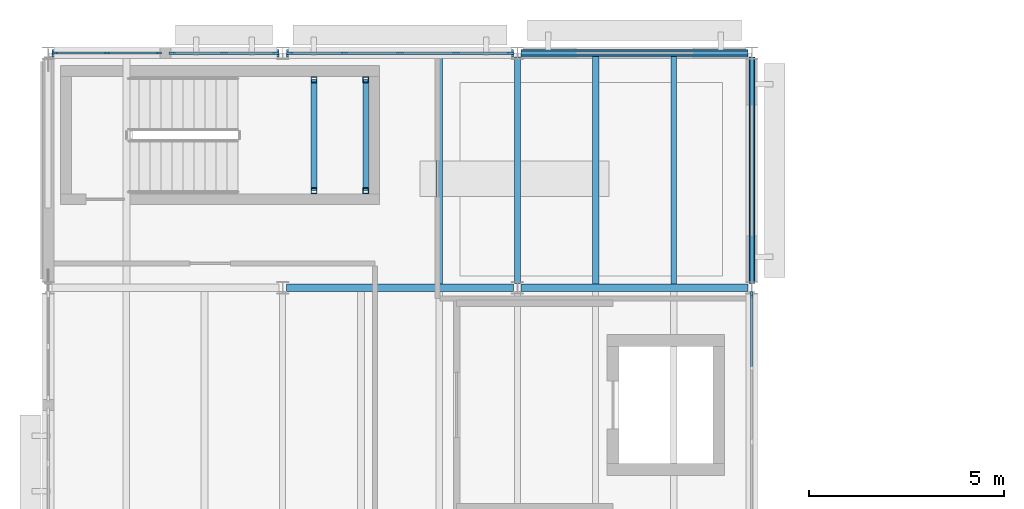
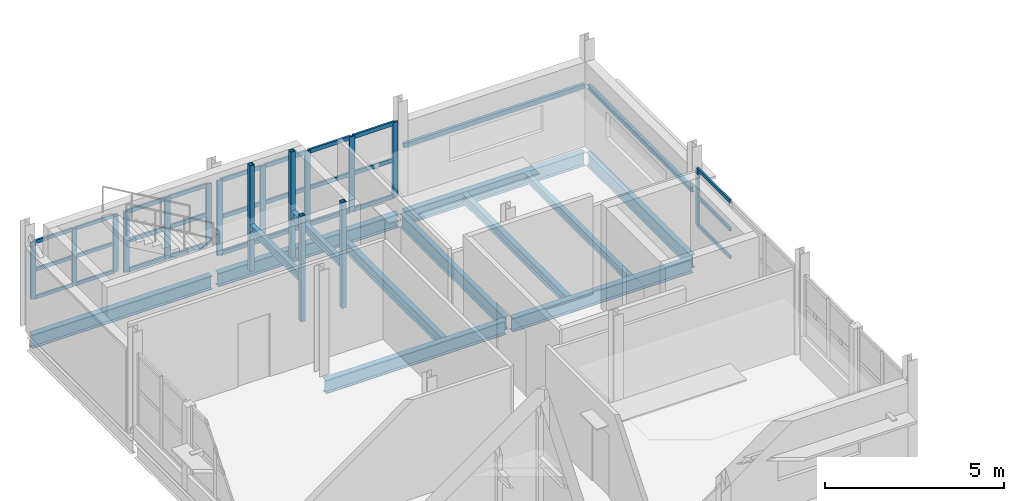
# One storey, part 5 of 20: 43 members, 14 beams, 4 elements without a shape of their own.
"""IFC4 building model written with IfcOpenShell, lengths in metres."""

from ifc_helpers import new_model, si_unit, direction, frame, origin, origin_2d, place, context, subcontext, project, spatial, rectangle, hollow_rectangle, i_section, extrude, material, material_profile, profile_set, type_object, element, aggregate, save


model = new_model("IFC4")

# Units and contexts
model_context = context("Model", 3, precision=1e-05, world=origin(), true_north=direction((0.0, 1.0)))
body_context = subcontext(model_context, "Body", "Model", "MODEL_VIEW")
ifc_project = project(units=[si_unit("LENGTHUNIT", "METRE"), si_unit("AREAUNIT", "SQUARE_METRE"), si_unit("VOLUMEUNIT", "CUBIC_METRE"), si_unit("PLANEANGLEUNIT", "RADIAN"), si_unit("MASSUNIT", "GRAM", prefix="KILO")], contexts=[model_context])

# Site, building, storey
site_placement = place(None, origin())
site = spatial("IfcSite", under=ifc_project, at=site_placement, CompositionType="ELEMENT")
building_placement = place(site_placement, origin())
building = spatial("IfcBuilding", under=site, at=building_placement, Name="Siltcreek Boulevard Central Fire Station", CompositionType="ELEMENT")
storey_placement = place(building_placement, frame((0.0, 0.0, 18.0)))
storey = spatial("IfcBuildingStorey", under=building, at=storey_placement, Name="L05", CompositionType="ELEMENT", Elevation=18.0)

# Beams
ifc_material_1 = material(Name="Structural steel ASTM A992 Gr50", Category="steel")
ifc_material_profile_1 = material_profile(ifc_material_1, i_section(OverallWidth=0.154052734375, OverallDepth=0.458984375, WebThickness=0.009033203125, FlangeThickness=0.015380859375, at=origin_2d()), Name="W460X68")
ifc_profile_set_1 = profile_set([ifc_material_profile_1], Name="Structural steel ASTM A992 Gr50")
beam_type_1 = type_object("IfcBeamType", Name="BM_W460X68", PredefinedType="BEAM", material=ifc_profile_set_1)
for number, where, z_axis, x_axis, name in (
    (1, (54.0, 106.300048828125, -0.469482421875), (0.0, 1.0, 0.0), (-1.0, 0.0, 0.0), "L05 primary steel girder GY-0612"),
    (2, (60.0, 106.300048828125, -0.469482421875), (0.0, 1.0, 0.0), (-1.0, 0.0, 0.0), "L05 primary steel girder GY-0615"),
):
    element("IfcBeam", number, at=place(storey_placement, frame(where, z_axis=z_axis, x_axis=x_axis)), inside=storey, type_object=beam_type_1, Name=name, PredefinedType="BEAM", context=body_context, shape_type="SweptSolid", body=[
        extrude(i_section(OverallWidth=0.154052734375, OverallDepth=0.458984375, WebThickness=0.009033203125, FlangeThickness=0.015380859375, at=origin_2d()), origin(), (0.0, 0.0, 1.0), 5.800048828125),
    ])
ifc_material_profile_2 = material_profile(ifc_material_1, i_section(OverallWidth=0.19189453125, OverallDepth=0.462890625, WebThickness=0.010498046875, FlangeThickness=0.017578125, at=origin_2d()), Name="W460X89")
ifc_profile_set_2 = profile_set([ifc_material_profile_2], Name="Structural steel ASTM A992 Gr50")
beam_type_2 = type_object("IfcBeamType", Name="BM_W460X89", PredefinedType="BEAM", material=ifc_profile_set_2)
for number, where, z_axis, x_axis, name in (
    (3, (48.10009765625, 106.199951171875, -0.471435546875), (1.0, 0.0, 0.0), (0.0, 1.0, 0.0), "L05 primary steel girder GX-0601"),
    (4, (54.10009765625, 106.199951171875, -0.471435546875), (1.0, 0.0, 0.0), (0.0, 1.0, 0.0), "L05 primary steel girder GX-0602"),
    (5, (42.10009765625, 112.199951171875, -0.471435546875), (1.0, 0.0, 0.0), (0.0, 1.0, 0.0), "L05 primary steel girder GX-0603"),
    (6, (48.10009765625, 112.199951171875, -0.471435546875), (1.0, 0.0, 0.0), (0.0, 1.0, 0.0), "L05 primary steel girder GX-0604"),
    (7, (54.10009765625, 112.199951171875, -0.471435546875), (1.0, 0.0, 0.0), (0.0, 1.0, 0.0), "L05 primary steel girder GX-0605"),
):
    element("IfcBeam", number, at=place(storey_placement, frame(where, z_axis=z_axis, x_axis=x_axis)), inside=storey, type_object=beam_type_2, Name=name, PredefinedType="BEAM", context=body_context, shape_type="SweptSolid", body=[
        extrude(i_section(OverallWidth=0.19189453125, OverallDepth=0.462890625, WebThickness=0.010498046875, FlangeThickness=0.017578125, at=origin_2d()), origin(), (0.0, 0.0, 1.0), 5.7998046875),
    ])

# Members
ifc_material_2 = material(Name="Structural steel ASTM A500 GrC", Category="steel")
ifc_material_profile_3 = material_profile(ifc_material_2, hollow_rectangle(XDim=0.14990234375, YDim=0.14990234375, WallThickness=0.008056640625, at=origin_2d()), Name="HSS150X150X8.0")
ifc_profile_set_3 = profile_set([ifc_material_profile_3], Name="Structural steel ASTM A500 GrC")
member_type_1 = type_object("IfcMemberType", Name="BR_HSS150_8", PredefinedType="BRACE", material=ifc_profile_set_3)
for number, where, z_axis, x_axis, name in (
    (8, (48.800048828125, 108.679931640625, 0.0), (0.0, 0.0, 1.0), (1.0, 0.0, 0.0), "L05 ST-V3B stair landing corner post SW"),
    (9, (48.800048828125, 111.52001953125, 0.0), (0.0, 0.0, 1.0), (1.0, 0.0, 0.0), "L05 ST-V3B stair landing corner post NW"),
    (10, (50.1201171875, 108.679931640625, 0.0), (0.0, 0.0, 1.0), (1.0, 0.0, 0.0), "L05 ST-V3B stair landing corner post SE"),
    (11, (50.1201171875, 111.52001953125, 0.0), (0.0, 0.0, 1.0), (1.0, 0.0, 0.0), "L05 ST-V3B stair landing corner post NE"),
):
    element("IfcMember", number, at=place(storey_placement, frame(where, z_axis=z_axis, x_axis=x_axis)), inside=storey, type_object=member_type_1, Name=name, PredefinedType="BRACE", context=body_context, shape_type="SweptSolid", body=[
        extrude(hollow_rectangle(XDim=0.14990234375, YDim=0.14990234375, WallThickness=0.008056640625, at=origin_2d()), origin(), (0.0, 0.0, 1.0), 3.60009765625),
    ])

# Curtain wall, members
ifc_material_3 = material(Name="Anodized aluminum and low-E insulated glazing", Category="aluminium")
curtain_wall_type_1 = type_object("IfcCurtainWallType", Name="CW_SYS_12", PredefinedType="USERDEFINED", material=ifc_material_3)
curtain_wall_1_placement = place(storey_placement, origin())
curtain_wall_1 = element("IfcCurtainWall", 12, at=curtain_wall_1_placement, inside=storey, type_object=curtain_wall_type_1, Name="L05 V3 unitised curtain wall CW-071", ObjectType="CURTAIN WALL", PredefinedType="USERDEFINED")
ifc_material_4 = material(Name="Anodized 6063-T6 aluminum framing", Category="aluminium")
ifc_material_profile_4 = material_profile(ifc_material_4, rectangle(XDim=0.06005859375, YDim=0.14990234375, at=origin_2d()), Name="MULL60X150")
ifc_profile_set_4 = profile_set([ifc_material_profile_4], Name="Anodized 6063-T6 aluminum framing")
member_type_2 = type_object("IfcMemberType", Name="CWM_60X150", PredefinedType="MULLION", material=ifc_profile_set_4)
member_1_placement = place(storey_placement, frame((44.830078125, 112.199951171875, 0.919921875), z_axis=(0.0, 0.0, 1.0), x_axis=(0.0, -1.0, 0.0)))
member_1 = element("IfcMember", 13, at=member_1_placement, type_object=member_type_2, Name="CW-071 mullion 1", PredefinedType="MULLION", context=body_context, shape_type="SweptSolid", body=[
    extrude(rectangle(XDim=0.06005859375, YDim=0.14990234375, at=origin_2d()), origin(), (0.0, 0.0, 1.0), 1.948974609375),
])
member_2_placement = place(storey_placement, frame((43.50244140625, 112.199951171875, 0.919921875), z_axis=(0.0, 0.0, 1.0), x_axis=(0.0, -1.0, 0.0)))
member_2 = element("IfcMember", 14, at=member_2_placement, type_object=member_type_2, Name="CW-071 mullion 2", PredefinedType="MULLION", context=body_context, shape_type="SweptSolid", body=[
    extrude(rectangle(XDim=0.06005859375, YDim=0.14990234375, at=origin_2d()), origin(), (0.0, 0.0, 1.0), 1.948974609375),
])
member_3_placement = place(storey_placement, frame((42.175048828125, 112.199951171875, 0.919921875), z_axis=(0.0, 0.0, 1.0), x_axis=(0.0, -1.0, 0.0)))
member_3 = element("IfcMember", 15, at=member_3_placement, type_object=member_type_2, Name="CW-071 mullion 3", PredefinedType="MULLION", context=body_context, shape_type="SweptSolid", body=[
    extrude(rectangle(XDim=0.06005859375, YDim=0.14990234375, at=origin_2d()), origin(), (0.0, 0.0, 1.0), 1.948974609375),
])

# Curtain wall, member
curtain_wall_type_2 = type_object("IfcCurtainWallType", Name="CW_SYS_18", PredefinedType="USERDEFINED", material=ifc_material_3)
curtain_wall_2_placement = place(storey_placement, origin())
curtain_wall_2 = element("IfcCurtainWall", 16, at=curtain_wall_2_placement, inside=storey, type_object=curtain_wall_type_2, Name="L05 V3 unitised curtain wall CW-077", ObjectType="CURTAIN WALL", PredefinedType="USERDEFINED")
member_4_placement = place(storey_placement, frame((60.0, 106.02490234375, 0.919921875), z_axis=(0.0, 0.0, 1.0), x_axis=(-1.0, 0.0, 0.0)))
member_4 = element("IfcMember", 17, at=member_4_placement, type_object=member_type_2, Name="CW-077 mullion 4", PredefinedType="MULLION", context=body_context, shape_type="SweptSolid", body=[
    extrude(rectangle(XDim=0.06005859375, YDim=0.14990234375, at=origin_2d()), origin(), (0.0, 0.0, 1.0), 1.953125),
])

# Curtain wall, members
curtain_wall_type_3 = type_object("IfcCurtainWallType", Name="CW_SYS_11", PredefinedType="USERDEFINED", material=ifc_material_3)
curtain_wall_3_placement = place(storey_placement, origin())
curtain_wall_3 = element("IfcCurtainWall", 18, at=curtain_wall_3_placement, inside=storey, type_object=curtain_wall_type_3, Name="L05 V3 unitised curtain wall CW-070", ObjectType="CURTAIN WALL", PredefinedType="USERDEFINED")
ifc_material_profile_5 = material_profile(ifc_material_4, rectangle(XDim=0.06494140625, YDim=0.175048828125, at=origin_2d()), Name="MULL65X175")
ifc_profile_set_5 = profile_set([ifc_material_profile_5], Name="Anodized 6063-T6 aluminum framing")
member_type_3 = type_object("IfcMemberType", Name="CWM_65X175", PredefinedType="MULLION", material=ifc_profile_set_5)
member_5_placement = place(storey_placement, frame((47.822509765625, 112.199951171875, 0.800048828125), z_axis=(0.0, 0.0, 1.0), x_axis=(0.0, -1.0, 0.0)))
member_5 = element("IfcMember", 19, at=member_5_placement, type_object=member_type_3, Name="CW-070 mullion 1", PredefinedType="MULLION", context=body_context, shape_type="SweptSolid", body=[
    extrude(rectangle(XDim=0.06494140625, YDim=0.175048828125, at=origin_2d()), origin(), (0.0, 0.0, 1.0), 2.06884765625),
])
member_6_placement = place(storey_placement, frame((46.49755859375, 112.199951171875, 0.800048828125), z_axis=(0.0, 0.0, 1.0), x_axis=(0.0, -1.0, 0.0)))
member_6 = element("IfcMember", 20, at=member_6_placement, type_object=member_type_3, Name="CW-070 mullion 2", PredefinedType="MULLION", context=body_context, shape_type="SweptSolid", body=[
    extrude(rectangle(XDim=0.06494140625, YDim=0.175048828125, at=origin_2d()), origin(), (0.0, 0.0, 1.0), 2.06884765625),
])
member_7_placement = place(storey_placement, frame((45.172607421875, 112.199951171875, 0.800048828125), z_axis=(0.0, 0.0, 1.0), x_axis=(0.0, -1.0, 0.0)))
member_7 = element("IfcMember", 21, at=member_7_placement, type_object=member_type_3, Name="CW-070 mullion 3", PredefinedType="MULLION", context=body_context, shape_type="SweptSolid", body=[
    extrude(rectangle(XDim=0.06494140625, YDim=0.175048828125, at=origin_2d()), origin(), (0.0, 0.0, 1.0), 2.06884765625),
])

curtain_wall_type_4 = type_object("IfcCurtainWallType", Name="CW_SYS_13", PredefinedType="USERDEFINED", material=ifc_material_3)
curtain_wall_4_placement = place(storey_placement, origin())
curtain_wall_4 = element("IfcCurtainWall", 22, at=curtain_wall_4_placement, inside=storey, type_object=curtain_wall_type_4, Name="L05 V3 unitised curtain wall CW-072", ObjectType="CURTAIN WALL", PredefinedType="USERDEFINED")
member_8_placement = place(storey_placement, frame((53.822509765625, 112.199951171875, 0.320068359375), z_axis=(0.0, 0.0, 1.0), x_axis=(0.0, -1.0, 0.0)))
member_8 = element("IfcMember", 23, at=member_8_placement, type_object=member_type_3, Name="CW-072 mullion 1", PredefinedType="MULLION", context=body_context, shape_type="SweptSolid", body=[
    extrude(rectangle(XDim=0.06494140625, YDim=0.175048828125, at=origin_2d()), origin(), (0.0, 0.0, 1.0), 2.548828125),
])
member_9_placement = place(storey_placement, frame((52.427490234375, 112.199951171875, 0.320068359375), z_axis=(0.0, 0.0, 1.0), x_axis=(0.0, -1.0, 0.0)))
member_9 = element("IfcMember", 24, at=member_9_placement, type_object=member_type_3, Name="CW-072 mullion 2", PredefinedType="MULLION", context=body_context, shape_type="SweptSolid", body=[
    extrude(rectangle(XDim=0.06494140625, YDim=0.175048828125, at=origin_2d()), origin(), (0.0, 0.0, 1.0), 2.548828125),
])
member_10_placement = place(storey_placement, frame((51.0, 112.199951171875, 0.320068359375), z_axis=(0.0, 0.0, 1.0), x_axis=(0.0, -1.0, 0.0)))
member_10 = element("IfcMember", 25, at=member_10_placement, type_object=member_type_3, Name="CW-072 mullion 3", PredefinedType="MULLION", context=body_context, shape_type="SweptSolid", body=[
    extrude(rectangle(XDim=0.06494140625, YDim=0.175048828125, at=origin_2d()), origin(), (0.0, 0.0, 1.0), 2.548828125),
])
member_11_placement = place(storey_placement, frame((49.572509765625, 112.199951171875, 0.320068359375), z_axis=(0.0, 0.0, 1.0), x_axis=(0.0, -1.0, 0.0)))
member_11 = element("IfcMember", 26, at=member_11_placement, type_object=member_type_3, Name="CW-072 mullion 4", PredefinedType="MULLION", context=body_context, shape_type="SweptSolid", body=[
    extrude(rectangle(XDim=0.06494140625, YDim=0.175048828125, at=origin_2d()), origin(), (0.0, 0.0, 1.0), 2.548828125),
])
member_12_placement = place(storey_placement, frame((48.177490234375, 112.199951171875, 0.320068359375), z_axis=(0.0, 0.0, 1.0), x_axis=(0.0, -1.0, 0.0)))
member_12 = element("IfcMember", 27, at=member_12_placement, type_object=member_type_3, Name="CW-072 mullion 5", PredefinedType="MULLION", context=body_context, shape_type="SweptSolid", body=[
    extrude(rectangle(XDim=0.06494140625, YDim=0.175048828125, at=origin_2d()), origin(), (0.0, 0.0, 1.0), 2.548828125),
])

# Member
ifc_material_profile_6 = material_profile(ifc_material_4, rectangle(XDim=0.06005859375, YDim=0.114990234375, at=origin_2d()), Name="TRAN60X115")
ifc_profile_set_6 = profile_set([ifc_material_profile_6], Name="Anodized 6063-T6 aluminum framing")
member_type_4 = type_object("IfcMemberType", Name="CWT_60X115", PredefinedType="USERDEFINED", material=ifc_profile_set_6)
member_13_placement = place(storey_placement, frame((44.800048828125, 112.199951171875, 0.949951171875), z_axis=(-1.0, 0.0, 0.0), x_axis=(0.0, -1.0, 0.0)))
member_13 = element("IfcMember", 28, at=member_13_placement, type_object=member_type_4, Name="CW-071 transom 1.1", ObjectType="TRANSOM", PredefinedType="USERDEFINED", context=body_context, shape_type="SweptSolid", body=[
    extrude(rectangle(XDim=0.06005859375, YDim=0.114990234375, at=origin_2d()), origin(), (0.0, 0.0, 1.0), 1.267578125),
])

member_14_placement = place(storey_placement, frame((44.800048828125, 112.199951171875, 1.89453125), z_axis=(-1.0, 0.0, 0.0), x_axis=(0.0, -1.0, 0.0)))
member_14 = element("IfcMember", 29, at=member_14_placement, type_object=member_type_4, Name="CW-071 transom 1.2", ObjectType="TRANSOM", PredefinedType="USERDEFINED", context=body_context, shape_type="SweptSolid", body=[
    extrude(rectangle(XDim=0.06005859375, YDim=0.114990234375, at=origin_2d()), origin(), (0.0, 0.0, 1.0), 1.267578125),
])

member_15_placement = place(storey_placement, frame((44.800048828125, 112.199951171875, 2.839111328125), z_axis=(-1.0, 0.0, 0.0), x_axis=(0.0, -1.0, 0.0)))
member_15 = element("IfcMember", 30, at=member_15_placement, type_object=member_type_4, Name="CW-071 transom 1.3", ObjectType="TRANSOM", PredefinedType="USERDEFINED", context=body_context, shape_type="SweptSolid", body=[
    extrude(rectangle(XDim=0.06005859375, YDim=0.114990234375, at=origin_2d()), origin(), (0.0, 0.0, 1.0), 1.267578125),
])

member_16_placement = place(storey_placement, frame((43.472412109375, 112.199951171875, 0.949951171875), z_axis=(-1.0, 0.0, 0.0), x_axis=(0.0, -1.0, 0.0)))
member_16 = element("IfcMember", 31, at=member_16_placement, type_object=member_type_4, Name="CW-071 transom 2.1", ObjectType="TRANSOM", PredefinedType="USERDEFINED", context=body_context, shape_type="SweptSolid", body=[
    extrude(rectangle(XDim=0.06005859375, YDim=0.114990234375, at=origin_2d()), origin(), (0.0, 0.0, 1.0), 1.267333984375),
])

member_17_placement = place(storey_placement, frame((43.472412109375, 112.199951171875, 1.89453125), z_axis=(-1.0, 0.0, 0.0), x_axis=(0.0, -1.0, 0.0)))
member_17 = element("IfcMember", 32, at=member_17_placement, type_object=member_type_4, Name="CW-071 transom 2.2", ObjectType="TRANSOM", PredefinedType="USERDEFINED", context=body_context, shape_type="SweptSolid", body=[
    extrude(rectangle(XDim=0.06005859375, YDim=0.114990234375, at=origin_2d()), origin(), (0.0, 0.0, 1.0), 1.267333984375),
])

member_18_placement = place(storey_placement, frame((43.472412109375, 112.199951171875, 2.839111328125), z_axis=(-1.0, 0.0, 0.0), x_axis=(0.0, -1.0, 0.0)))
member_18 = element("IfcMember", 33, at=member_18_placement, type_object=member_type_4, Name="CW-071 transom 2.3", ObjectType="TRANSOM", PredefinedType="USERDEFINED", context=body_context, shape_type="SweptSolid", body=[
    extrude(rectangle(XDim=0.06005859375, YDim=0.114990234375, at=origin_2d()), origin(), (0.0, 0.0, 1.0), 1.267333984375),
])

aggregate(curtain_wall_1, [member_1, member_2, member_3, member_13, member_14, member_15, member_16, member_17, member_18])

member_19_placement = place(storey_placement, frame((60.0, 104.181640625, 0.949951171875), z_axis=(0.0, 1.0, 0.0), x_axis=(-1.0, 0.0, 0.0)))
member_19 = element("IfcMember", 34, at=member_19_placement, type_object=member_type_4, Name="CW-077 transom 3.1", ObjectType="TRANSOM", PredefinedType="USERDEFINED", context=body_context, shape_type="SweptSolid", body=[
    extrude(rectangle(XDim=0.06005859375, YDim=0.114990234375, at=origin_2d()), origin(), (0.0, 0.0, 1.0), 1.8134765625),
])

member_20_placement = place(storey_placement, frame((60.0, 104.181640625, 1.896484375), z_axis=(0.0, 1.0, 0.0), x_axis=(-1.0, 0.0, 0.0)))
member_20 = element("IfcMember", 35, at=member_20_placement, type_object=member_type_4, Name="CW-077 transom 3.2", ObjectType="TRANSOM", PredefinedType="USERDEFINED", context=body_context, shape_type="SweptSolid", body=[
    extrude(rectangle(XDim=0.06005859375, YDim=0.114990234375, at=origin_2d()), origin(), (0.0, 0.0, 1.0), 1.8134765625),
])

member_21_placement = place(storey_placement, frame((60.0, 104.181640625, 2.843017578125), z_axis=(0.0, 1.0, 0.0), x_axis=(-1.0, 0.0, 0.0)))
member_21 = element("IfcMember", 36, at=member_21_placement, type_object=member_type_4, Name="CW-077 transom 3.3", ObjectType="TRANSOM", PredefinedType="USERDEFINED", context=body_context, shape_type="SweptSolid", body=[
    extrude(rectangle(XDim=0.06005859375, YDim=0.114990234375, at=origin_2d()), origin(), (0.0, 0.0, 1.0), 1.8134765625),
])

aggregate(curtain_wall_2, [member_4, member_19, member_20, member_21])

ifc_material_profile_7 = material_profile(ifc_material_4, rectangle(XDim=0.06494140625, YDim=0.135009765625, at=origin_2d()), Name="TRAN65X135")
ifc_profile_set_7 = profile_set([ifc_material_profile_7], Name="Anodized 6063-T6 aluminum framing")
member_type_5 = type_object("IfcMemberType", Name="CWT_65X135", PredefinedType="USERDEFINED", material=ifc_profile_set_7)
member_22_placement = place(storey_placement, frame((47.7900390625, 112.199951171875, 0.83251953125), z_axis=(-1.0, 0.0, 0.0), x_axis=(0.0, -1.0, 0.0)))
member_22 = element("IfcMember", 37, at=member_22_placement, type_object=member_type_5, Name="CW-070 transom 1.1", ObjectType="TRANSOM", PredefinedType="USERDEFINED", context=body_context, shape_type="SweptSolid", body=[
    extrude(rectangle(XDim=0.06494140625, YDim=0.135009765625, at=origin_2d()), origin(), (0.0, 0.0, 1.0), 1.260009765625),
])

member_23_placement = place(storey_placement, frame((47.7900390625, 112.199951171875, 1.83447265625), z_axis=(-1.0, 0.0, 0.0), x_axis=(0.0, -1.0, 0.0)))
member_23 = element("IfcMember", 38, at=member_23_placement, type_object=member_type_5, Name="CW-070 transom 1.2", ObjectType="TRANSOM", PredefinedType="USERDEFINED", context=body_context, shape_type="SweptSolid", body=[
    extrude(rectangle(XDim=0.06494140625, YDim=0.135009765625, at=origin_2d()), origin(), (0.0, 0.0, 1.0), 1.260009765625),
])

member_24_placement = place(storey_placement, frame((47.7900390625, 112.199951171875, 2.83642578125), z_axis=(-1.0, 0.0, 0.0), x_axis=(0.0, -1.0, 0.0)))
member_24 = element("IfcMember", 39, at=member_24_placement, type_object=member_type_5, Name="CW-070 transom 1.3", ObjectType="TRANSOM", PredefinedType="USERDEFINED", context=body_context, shape_type="SweptSolid", body=[
    extrude(rectangle(XDim=0.06494140625, YDim=0.135009765625, at=origin_2d()), origin(), (0.0, 0.0, 1.0), 1.260009765625),
])

member_25_placement = place(storey_placement, frame((46.465087890625, 112.199951171875, 0.83251953125), z_axis=(-1.0, 0.0, 0.0), x_axis=(0.0, -1.0, 0.0)))
member_25 = element("IfcMember", 40, at=member_25_placement, type_object=member_type_5, Name="CW-070 transom 2.1", ObjectType="TRANSOM", PredefinedType="USERDEFINED", context=body_context, shape_type="SweptSolid", body=[
    extrude(rectangle(XDim=0.06494140625, YDim=0.135009765625, at=origin_2d()), origin(), (0.0, 0.0, 1.0), 1.260009765625),
])

member_26_placement = place(storey_placement, frame((46.465087890625, 112.199951171875, 1.83447265625), z_axis=(-1.0, 0.0, 0.0), x_axis=(0.0, -1.0, 0.0)))
member_26 = element("IfcMember", 41, at=member_26_placement, type_object=member_type_5, Name="CW-070 transom 2.2", ObjectType="TRANSOM", PredefinedType="USERDEFINED", context=body_context, shape_type="SweptSolid", body=[
    extrude(rectangle(XDim=0.06494140625, YDim=0.135009765625, at=origin_2d()), origin(), (0.0, 0.0, 1.0), 1.260009765625),
])

member_27_placement = place(storey_placement, frame((46.465087890625, 112.199951171875, 2.83642578125), z_axis=(-1.0, 0.0, 0.0), x_axis=(0.0, -1.0, 0.0)))
member_27 = element("IfcMember", 42, at=member_27_placement, type_object=member_type_5, Name="CW-070 transom 2.3", ObjectType="TRANSOM", PredefinedType="USERDEFINED", context=body_context, shape_type="SweptSolid", body=[
    extrude(rectangle(XDim=0.06494140625, YDim=0.135009765625, at=origin_2d()), origin(), (0.0, 0.0, 1.0), 1.260009765625),
])

aggregate(curtain_wall_3, [member_5, member_6, member_7, member_22, member_23, member_24, member_25, member_26, member_27])

member_28_placement = place(storey_placement, frame((53.7900390625, 112.199951171875, 0.3525390625), z_axis=(-1.0, 0.0, 0.0), x_axis=(0.0, -1.0, 0.0)))
member_28 = element("IfcMember", 43, at=member_28_placement, type_object=member_type_5, Name="CW-072 transom 1.1", ObjectType="TRANSOM", PredefinedType="USERDEFINED", context=body_context, shape_type="SweptSolid", body=[
    extrude(rectangle(XDim=0.06494140625, YDim=0.135009765625, at=origin_2d()), origin(), (0.0, 0.0, 1.0), 1.330078125),
])

member_29_placement = place(storey_placement, frame((53.7900390625, 112.199951171875, 1.594482421875), z_axis=(-1.0, 0.0, 0.0), x_axis=(0.0, -1.0, 0.0)))
member_29 = element("IfcMember", 44, at=member_29_placement, type_object=member_type_5, Name="CW-072 transom 1.2", ObjectType="TRANSOM", PredefinedType="USERDEFINED", context=body_context, shape_type="SweptSolid", body=[
    extrude(rectangle(XDim=0.06494140625, YDim=0.135009765625, at=origin_2d()), origin(), (0.0, 0.0, 1.0), 1.330078125),
])

member_30_placement = place(storey_placement, frame((53.7900390625, 112.199951171875, 2.83642578125), z_axis=(-1.0, 0.0, 0.0), x_axis=(0.0, -1.0, 0.0)))
member_30 = element("IfcMember", 45, at=member_30_placement, type_object=member_type_5, Name="CW-072 transom 1.3", ObjectType="TRANSOM", PredefinedType="USERDEFINED", context=body_context, shape_type="SweptSolid", body=[
    extrude(rectangle(XDim=0.06494140625, YDim=0.135009765625, at=origin_2d()), origin(), (0.0, 0.0, 1.0), 1.330078125),
])

member_31_placement = place(storey_placement, frame((52.39501953125, 112.199951171875, 0.3525390625), z_axis=(-1.0, 0.0, 0.0), x_axis=(0.0, -1.0, 0.0)))
member_31 = element("IfcMember", 46, at=member_31_placement, type_object=member_type_5, Name="CW-072 transom 2.1", ObjectType="TRANSOM", PredefinedType="USERDEFINED", context=body_context, shape_type="SweptSolid", body=[
    extrude(rectangle(XDim=0.06494140625, YDim=0.135009765625, at=origin_2d()), origin(), (0.0, 0.0, 1.0), 1.362548828125),
])

member_32_placement = place(storey_placement, frame((52.39501953125, 112.199951171875, 1.594482421875), z_axis=(-1.0, 0.0, 0.0), x_axis=(0.0, -1.0, 0.0)))
member_32 = element("IfcMember", 47, at=member_32_placement, type_object=member_type_5, Name="CW-072 transom 2.2", ObjectType="TRANSOM", PredefinedType="USERDEFINED", context=body_context, shape_type="SweptSolid", body=[
    extrude(rectangle(XDim=0.06494140625, YDim=0.135009765625, at=origin_2d()), origin(), (0.0, 0.0, 1.0), 1.362548828125),
])

member_33_placement = place(storey_placement, frame((52.39501953125, 112.199951171875, 2.83642578125), z_axis=(-1.0, 0.0, 0.0), x_axis=(0.0, -1.0, 0.0)))
member_33 = element("IfcMember", 48, at=member_33_placement, type_object=member_type_5, Name="CW-072 transom 2.3", ObjectType="TRANSOM", PredefinedType="USERDEFINED", context=body_context, shape_type="SweptSolid", body=[
    extrude(rectangle(XDim=0.06494140625, YDim=0.135009765625, at=origin_2d()), origin(), (0.0, 0.0, 1.0), 1.362548828125),
])

member_34_placement = place(storey_placement, frame((50.967529296875, 112.199951171875, 0.3525390625), z_axis=(-1.0, 0.0, 0.0), x_axis=(0.0, -1.0, 0.0)))
member_34 = element("IfcMember", 49, at=member_34_placement, type_object=member_type_5, Name="CW-072 transom 3.1", ObjectType="TRANSOM", PredefinedType="USERDEFINED", context=body_context, shape_type="SweptSolid", body=[
    extrude(rectangle(XDim=0.06494140625, YDim=0.135009765625, at=origin_2d()), origin(), (0.0, 0.0, 1.0), 1.362548828125),
])

member_35_placement = place(storey_placement, frame((50.967529296875, 112.199951171875, 1.594482421875), z_axis=(-1.0, 0.0, 0.0), x_axis=(0.0, -1.0, 0.0)))
member_35 = element("IfcMember", 50, at=member_35_placement, type_object=member_type_5, Name="CW-072 transom 3.2", ObjectType="TRANSOM", PredefinedType="USERDEFINED", context=body_context, shape_type="SweptSolid", body=[
    extrude(rectangle(XDim=0.06494140625, YDim=0.135009765625, at=origin_2d()), origin(), (0.0, 0.0, 1.0), 1.362548828125),
])

member_36_placement = place(storey_placement, frame((50.967529296875, 112.199951171875, 2.83642578125), z_axis=(-1.0, 0.0, 0.0), x_axis=(0.0, -1.0, 0.0)))
member_36 = element("IfcMember", 51, at=member_36_placement, type_object=member_type_5, Name="CW-072 transom 3.3", ObjectType="TRANSOM", PredefinedType="USERDEFINED", context=body_context, shape_type="SweptSolid", body=[
    extrude(rectangle(XDim=0.06494140625, YDim=0.135009765625, at=origin_2d()), origin(), (0.0, 0.0, 1.0), 1.362548828125),
])

member_37_placement = place(storey_placement, frame((49.5400390625, 112.199951171875, 0.3525390625), z_axis=(-1.0, 0.0, 0.0), x_axis=(0.0, -1.0, 0.0)))
member_37 = element("IfcMember", 52, at=member_37_placement, type_object=member_type_5, Name="CW-072 transom 4.1", ObjectType="TRANSOM", PredefinedType="USERDEFINED", context=body_context, shape_type="SweptSolid", body=[
    extrude(rectangle(XDim=0.06494140625, YDim=0.135009765625, at=origin_2d()), origin(), (0.0, 0.0, 1.0), 1.330078125),
])

member_38_placement = place(storey_placement, frame((49.5400390625, 112.199951171875, 1.594482421875), z_axis=(-1.0, 0.0, 0.0), x_axis=(0.0, -1.0, 0.0)))
member_38 = element("IfcMember", 53, at=member_38_placement, type_object=member_type_5, Name="CW-072 transom 4.2", ObjectType="TRANSOM", PredefinedType="USERDEFINED", context=body_context, shape_type="SweptSolid", body=[
    extrude(rectangle(XDim=0.06494140625, YDim=0.135009765625, at=origin_2d()), origin(), (0.0, 0.0, 1.0), 1.330078125),
])

member_39_placement = place(storey_placement, frame((49.5400390625, 112.199951171875, 2.83642578125), z_axis=(-1.0, 0.0, 0.0), x_axis=(0.0, -1.0, 0.0)))
member_39 = element("IfcMember", 54, at=member_39_placement, type_object=member_type_5, Name="CW-072 transom 4.3", ObjectType="TRANSOM", PredefinedType="USERDEFINED", context=body_context, shape_type="SweptSolid", body=[
    extrude(rectangle(XDim=0.06494140625, YDim=0.135009765625, at=origin_2d()), origin(), (0.0, 0.0, 1.0), 1.330078125),
])

aggregate(curtain_wall_4, [member_8, member_9, member_10, member_11, member_12, member_28, member_29, member_30, member_31, member_32, member_33, member_34, member_35, member_36, member_37, member_38, member_39])

# Beams
ifc_material_profile_8 = material_profile(ifc_material_1, i_section(OverallWidth=0.14697265625, OverallDepth=0.261962890625, WebThickness=0.006591796875, FlangeThickness=0.01123046875, at=origin_2d()), Name="W250X39")
ifc_profile_set_8 = profile_set([ifc_material_profile_8], Name="Structural steel ASTM A992 Gr50")
beam_type_3 = type_object("IfcBeamType", Name="JST_W250X39", PredefinedType="JOIST", material=ifc_profile_set_8)
beam_1_placement = place(storey_placement, frame((58.0, 106.2939453125, -0.37109375), z_axis=(0.0, 1.0, 0.0), x_axis=(-1.0, 0.0, 0.0)))
element("IfcBeam", 55, at=beam_1_placement, inside=storey, type_object=beam_type_3, Name="L05 secondary steel floor joist 0518", PredefinedType="JOIST", context=body_context, shape_type="SweptSolid", body=[
    extrude(i_section(OverallWidth=0.14697265625, OverallDepth=0.261962890625, WebThickness=0.006591796875, FlangeThickness=0.01123046875, at=origin_2d()), origin(), (0.0, 0.0, 1.0), 5.81201171875),
])
for number, where, z_axis, x_axis, name in (
    (56, (48.800048828125, 108.679931640625, 1.468994140625), (0.0, 1.0, 0.0), (-1.0, 0.0, 0.0), "L05 ST-V3B stair landing bearer MIDW"),
    (57, (50.1201171875, 108.679931640625, 1.468994140625), (0.0, 1.0, 0.0), (-1.0, 0.0, 0.0), "L05 ST-V3B stair landing bearer MIDE"),
):
    element("IfcBeam", number, at=place(storey_placement, frame(where, z_axis=z_axis, x_axis=x_axis)), inside=storey, type_object=beam_type_3, Name=name, PredefinedType="JOIST", context=body_context, shape_type="SweptSolid", body=[
        extrude(i_section(OverallWidth=0.14697265625, OverallDepth=0.261962890625, WebThickness=0.006591796875, FlangeThickness=0.01123046875, at=origin_2d()), origin(), (0.0, 0.0, 1.0), 2.840087890625),
    ])
ifc_material_profile_9 = material_profile(ifc_material_1, i_section(OverallWidth=0.166015625, OverallDepth=0.31298828125, WebThickness=0.006591796875, FlangeThickness=0.01123046875, at=origin_2d()), Name="W310X45")
ifc_profile_set_9 = profile_set([ifc_material_profile_9], Name="Structural steel ASTM A992 Gr50")
beam_type_4 = type_object("IfcBeamType", Name="JST_W310X45", PredefinedType="JOIST", material=ifc_profile_set_9)
beam_2_placement = place(storey_placement, frame((56.0, 106.2939453125, -0.396484375), z_axis=(0.0, 1.0, 0.0), x_axis=(-1.0, 0.0, 0.0)))
element("IfcBeam", 58, at=beam_2_placement, inside=storey, type_object=beam_type_4, Name="L05 secondary steel floor joist 0517", PredefinedType="JOIST", context=body_context, shape_type="SweptSolid", body=[
    extrude(i_section(OverallWidth=0.166015625, OverallDepth=0.31298828125, WebThickness=0.006591796875, FlangeThickness=0.01123046875, at=origin_2d()), origin(), (0.0, 0.0, 1.0), 5.81201171875),
])
ifc_material_profile_10 = material_profile(ifc_material_1, i_section(OverallWidth=0.172119140625, OverallDepth=0.35791015625, WebThickness=0.0078125, FlangeThickness=0.01318359375, at=origin_2d()), Name="W360X57")
ifc_profile_set_10 = profile_set([ifc_material_profile_10], Name="Structural steel ASTM A992 Gr50")
beam_type_5 = type_object("IfcBeamType", Name="JST_W360X57", PredefinedType="JOIST", material=ifc_profile_set_10)
beam_3_placement = place(storey_placement, frame((52.0, 106.2939453125, -0.4189453125), z_axis=(0.0, 1.0, 0.0), x_axis=(-1.0, 0.0, 0.0)))
element("IfcBeam", 59, at=beam_3_placement, inside=storey, type_object=beam_type_5, Name="L05 secondary steel floor joist 0516", PredefinedType="JOIST", context=body_context, shape_type="SweptSolid", body=[
    extrude(i_section(OverallWidth=0.172119140625, OverallDepth=0.35791015625, WebThickness=0.0078125, FlangeThickness=0.01318359375, at=origin_2d()), origin(), (0.0, 0.0, 1.0), 5.81201171875),
])
ifc_material_profile_11 = material_profile(ifc_material_2, hollow_rectangle(XDim=0.10009765625, YDim=0.14990234375, WallThickness=0.00634765625, at=origin_2d()), Name="HSS150X100X6.4")
ifc_profile_set_11 = profile_set([ifc_material_profile_11], Name="Structural steel ASTM A500 GrC")
beam_type_6 = type_object("IfcBeamType", Name="LIN_HSS150X100", PredefinedType="LINTEL", material=ifc_profile_set_11)
beam_4_placement = place(storey_placement, frame((59.89990234375, 112.199951171875, 1.969970703125), z_axis=(-1.0, 0.0, 0.0), x_axis=(0.0, -1.0, 0.0)))
element("IfcBeam", 60, at=beam_4_placement, inside=storey, type_object=beam_type_6, Name="Exterior window steel lintel WLN-29", PredefinedType="LINTEL", context=body_context, shape_type="SweptSolid", body=[
    extrude(hollow_rectangle(XDim=0.10009765625, YDim=0.14990234375, WallThickness=0.00634765625, at=origin_2d()), origin(), (0.0, 0.0, 1.0), 5.7998046875),
])
ifc_material_profile_12 = material_profile(ifc_material_1, i_section(OverallWidth=0.10205078125, OverallDepth=0.159912109375, WebThickness=0.006591796875, FlangeThickness=0.01025390625, at=origin_2d()), Name="W150X24")
ifc_profile_set_12 = profile_set([ifc_material_profile_12], Name="Structural steel ASTM A992 Gr50")
beam_type_7 = type_object("IfcBeamType", Name="LIN_W150X24", PredefinedType="LINTEL", material=ifc_profile_set_12)
beam_5_placement = place(storey_placement, frame((60.0, 106.300048828125, 1.969970703125), z_axis=(0.0, 1.0, 0.0), x_axis=(-1.0, 0.0, 0.0)))
element("IfcBeam", 61, at=beam_5_placement, inside=storey, type_object=beam_type_7, Name="Exterior window steel lintel WLN-30", PredefinedType="LINTEL", context=body_context, shape_type="SweptSolid", body=[
    extrude(i_section(OverallWidth=0.10205078125, OverallDepth=0.159912109375, WebThickness=0.006591796875, FlangeThickness=0.01025390625, at=origin_2d()), origin(), (0.0, 0.0, 1.0), 5.800048828125),
])

save(model, "model.ifc")
